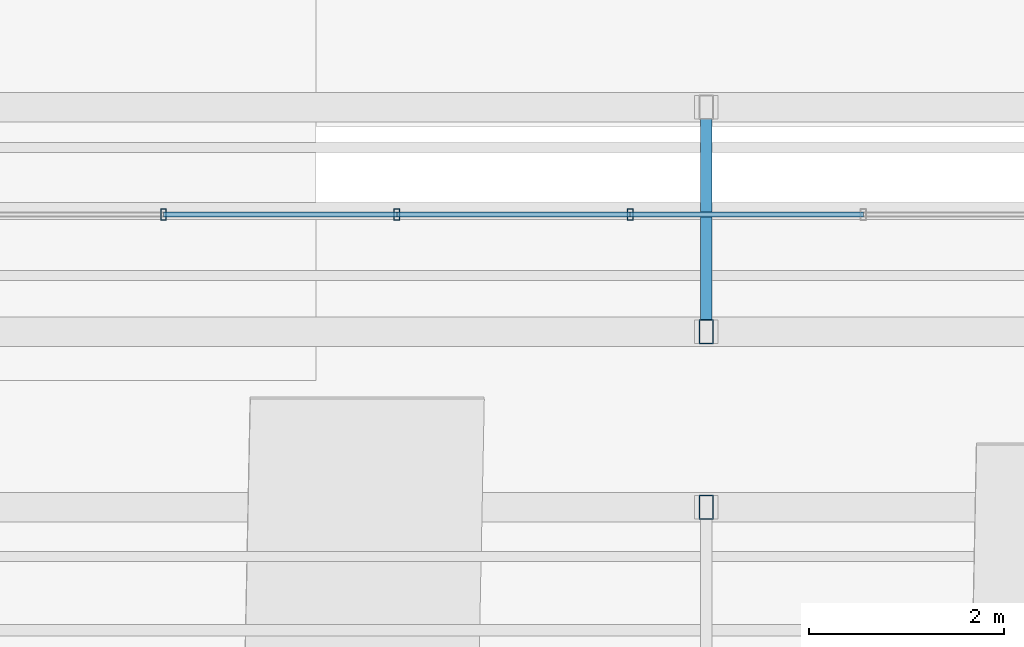
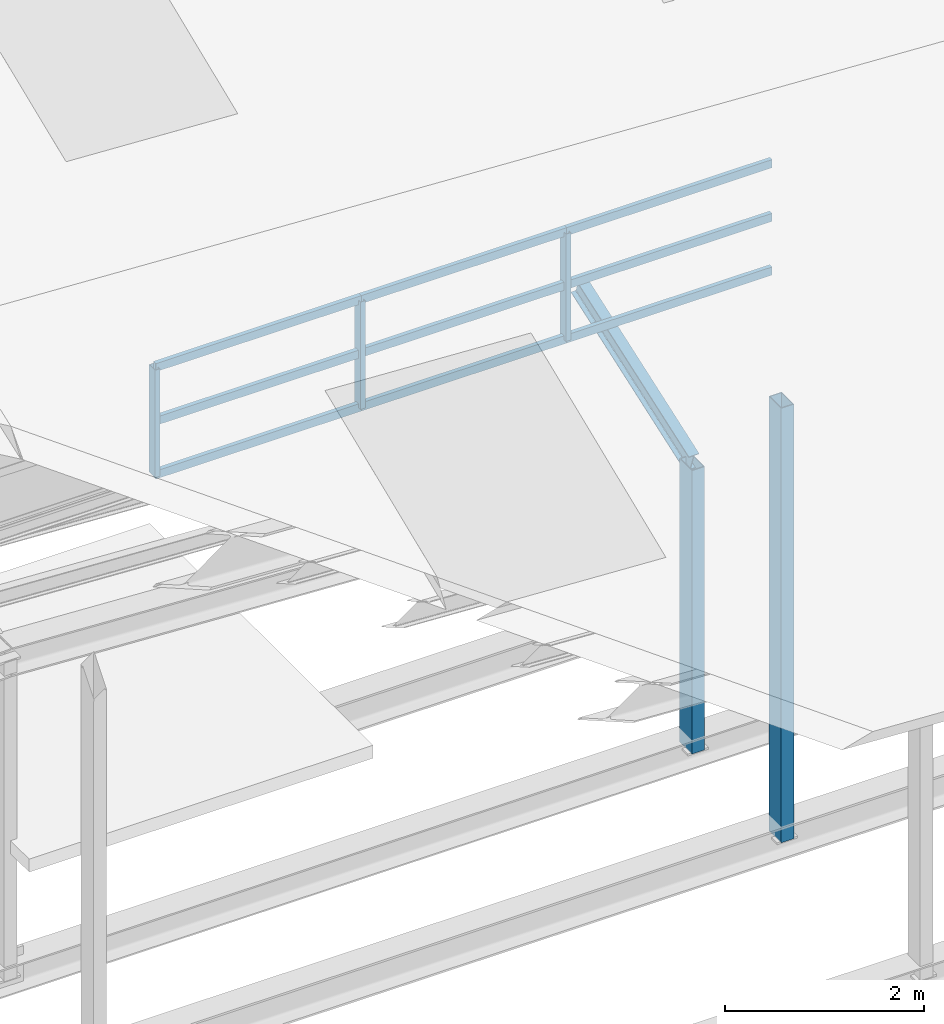
# One storey, part 112 of 141: 15 members, 1 element without a shape of its own.
"""IFC4 building model written with IfcOpenShell, lengths in metres."""

from ifc_helpers import new_model, si_unit, direction, frame, origin, origin_2d, place, context, subcontext, project, spatial, hollow_rectangle, i_section, extrude, material, material_profile, profile_set, type_object, element, aggregate, save


model = new_model("IFC4")

# Units and contexts
model_context = context("Model", 3, precision=1e-05, world=origin(), true_north=direction((0.0, 1.0)))
body_context = subcontext(model_context, "Body", "Model", "MODEL_VIEW")
ifc_project = project(units=[si_unit("LENGTHUNIT", "METRE"), si_unit("AREAUNIT", "SQUARE_METRE"), si_unit("VOLUMEUNIT", "CUBIC_METRE"), si_unit("PLANEANGLEUNIT", "RADIAN"), si_unit("MASSUNIT", "GRAM", prefix="KILO")], contexts=[model_context])

# Site, building, storey
site_placement = place(None, origin())
site = spatial("IfcSite", under=ifc_project, at=site_placement, CompositionType="ELEMENT")
building_placement = place(site_placement, origin())
building = spatial("IfcBuilding", under=site, at=building_placement, Name="Sundkrona Museum", CompositionType="ELEMENT")
storey_placement = place(building_placement, frame((0.0, 0.0, 34.0)))
storey = spatial("IfcBuildingStorey", under=building, at=storey_placement, Name="RF", CompositionType="ELEMENT", Elevation=34.0)

# Curtain wall, members
ifc_material_1 = material(Name="Unitised Aluminium-Steel and Ceramic-Clad Curtain Walling", Category="steel")
curtain_wall_type = type_object("IfcCurtainWallType", Name="CW-SW-240x13", PredefinedType="NOTDEFINED", material=ifc_material_1)
curtain_wall_placement = place(storey_placement, origin())
curtain_wall = element("IfcCurtainWall", 1, at=curtain_wall_placement, inside=storey, type_object=curtain_wall_type, Name="Sawtooth Bay 6 East North-Light Clerestory", PredefinedType="NOTDEFINED")
ifc_material_2 = material(Name="Aluminium EN AW-6060 T66", Category="aluminium")
ifc_material_profile_1 = material_profile(ifc_material_2, hollow_rectangle(XDim=0.06005859375, YDim=0.1201171875, WallThickness=0.0048828125, at=origin_2d()), Name="RHS 120x60x5.0")
ifc_profile_set_1 = profile_set([ifc_material_profile_1], Name="Aluminium EN AW-6060 T66")
member_type_1 = type_object("IfcMemberType", Name="ML-120", PredefinedType="MULLION", material=ifc_profile_set_1)
member_1_placement = place(storey_placement, frame((146.43994140625, 42.699951171875, 4.31298828125), z_axis=(0.0, 0.0, 1.0), x_axis=(1.0, 0.0, 0.0)))
member_1 = element("IfcMember", 2, at=member_1_placement, type_object=member_type_1, Name="CW-RF-SAW-06E Mullion 02", PredefinedType="MULLION", context=body_context, shape_type="SweptSolid", body=[
    extrude(hollow_rectangle(XDim=0.06005859375, YDim=0.1201171875, WallThickness=0.0048828125, at=origin_2d()), origin(), (0.0, 0.0, 1.0), 1.320068359375),
])
member_2_placement = place(storey_placement, frame((148.830078125, 42.699951171875, 4.31298828125), z_axis=(0.0, 0.0, 1.0), x_axis=(1.0, 0.0, 0.0)))
member_2 = element("IfcMember", 3, at=member_2_placement, type_object=member_type_1, Name="CW-RF-SAW-06E Mullion 03", PredefinedType="MULLION", context=body_context, shape_type="SweptSolid", body=[
    extrude(hollow_rectangle(XDim=0.06005859375, YDim=0.1201171875, WallThickness=0.0048828125, at=origin_2d()), origin(), (0.0, 0.0, 1.0), 1.320068359375),
])
member_3_placement = place(storey_placement, frame((151.219970703125, 42.699951171875, 4.31298828125), z_axis=(0.0, 0.0, 1.0), x_axis=(1.0, 0.0, 0.0)))
member_3 = element("IfcMember", 4, at=member_3_placement, type_object=member_type_1, Name="CW-RF-SAW-06E Mullion 04", PredefinedType="MULLION", context=body_context, shape_type="SweptSolid", body=[
    extrude(hollow_rectangle(XDim=0.06005859375, YDim=0.1201171875, WallThickness=0.0048828125, at=origin_2d()), origin(), (0.0, 0.0, 1.0), 1.320068359375),
])

# Members
ifc_material_3 = material(Name="Steel S355J2", Category="steel")
ifc_material_profile_2 = material_profile(ifc_material_3, i_section(OverallWidth=0.1201171875, OverallDepth=0.239990234375, WebThickness=0.006103515625, FlangeThickness=0.009765625, FilletRadius=0.014892578125, at=origin_2d()), Name="IPE 240")
ifc_profile_set_2 = profile_set([ifc_material_profile_2], Name="Steel S355J2")
member_type_2 = type_object("IfcMemberType", Name="PR-IPE240", PredefinedType="PURLIN", material=ifc_profile_set_2)
member_4_placement = place(storey_placement, frame((152.0, 41.5, 3.234375), z_axis=(0.0, 0.943681756656, 0.330854563447), x_axis=(-1.0, 0.0, 0.0)))
element("IfcMember", 5, at=member_4_placement, inside=storey, type_object=member_type_2, Name="RFS-1 Sawtooth Bay 7 Transverse Rafter 5", PredefinedType="PURLIN", context=body_context, shape_type="SweptSolid", body=[
    extrude(i_section(OverallWidth=0.1201171875, OverallDepth=0.239990234375, WebThickness=0.006103515625, FlangeThickness=0.009765625, FilletRadius=0.014892578125, at=origin_2d()), origin(), (0.0, 0.0, 1.0), 2.437255859375),
])
ifc_material_profile_3 = material_profile(ifc_material_3, hollow_rectangle(XDim=0.14990234375, YDim=0.25, WallThickness=0.010009765625, at=origin_2d()), Name="RHS 250x150x10.0")
ifc_profile_set_3 = profile_set([ifc_material_profile_3], Name="Steel S355J2")
member_type_3 = type_object("IfcMemberType", Name="ST-RHS250", PredefinedType="STRUT", material=ifc_profile_set_3)
member_5_placement = place(storey_placement, frame((152.0, 39.699951171875, -0.25), z_axis=(0.0, 0.0, 1.0), x_axis=(1.0, 0.0, 0.0)))
element("IfcMember", 6, at=member_5_placement, inside=storey, type_object=member_type_3, Name="RFS-1 Sawtooth Truss 6 Vertical Post 5", PredefinedType="STRUT", context=body_context, shape_type="SweptSolid", body=[
    extrude(hollow_rectangle(XDim=0.14990234375, YDim=0.25, WallThickness=0.010009765625, at=origin_2d()), origin(), (0.0, 0.0, 1.0), 5.343017578125),
])
member_6_placement = place(storey_placement, frame((152.0, 41.5, -0.25), z_axis=(0.0, 0.0, 1.0), x_axis=(1.0, 0.0, 0.0)))
element("IfcMember", 7, at=member_6_placement, inside=storey, type_object=member_type_3, Name="RFS-1 Sawtooth Bay 7 Valley Post 5", PredefinedType="STRUT", context=body_context, shape_type="SweptSolid", body=[
    extrude(hollow_rectangle(XDim=0.14990234375, YDim=0.25, WallThickness=0.010009765625, at=origin_2d()), origin(), (0.0, 0.0, 1.0), 3.484375),
])

# Member
ifc_material_profile_4 = material_profile(ifc_material_2, hollow_rectangle(XDim=0.050048828125, YDim=0.10009765625, WallThickness=0.0048828125, at=origin_2d()), Name="RHS 100x50x5.0")
ifc_profile_set_4 = profile_set([ifc_material_profile_4], Name="Aluminium EN AW-6060 T66")
member_type_4 = type_object("IfcMemberType", Name="TR-100", PredefinedType="USERDEFINED", material=ifc_profile_set_4)
member_7_placement = place(storey_placement, frame((146.43994140625, 42.699951171875, 4.31298828125), z_axis=(1.0, 0.0, 0.0), x_axis=(0.0, 1.0, 0.0)))
member_7 = element("IfcMember", 8, at=member_7_placement, type_object=member_type_4, Name="CW-RF-SAW-06E Transom 04", ObjectType="TRANSOM", PredefinedType="USERDEFINED", context=body_context, shape_type="SweptSolid", body=[
    extrude(hollow_rectangle(XDim=0.050048828125, YDim=0.10009765625, WallThickness=0.0048828125, at=origin_2d()), origin(), (0.0, 0.0, 1.0), 2.39013671875),
])

member_8_placement = place(storey_placement, frame((146.43994140625, 42.699951171875, 4.972900390625), z_axis=(1.0, 0.0, 0.0), x_axis=(0.0, 1.0, 0.0)))
member_8 = element("IfcMember", 9, at=member_8_placement, type_object=member_type_4, Name="CW-RF-SAW-06E Transom 05", ObjectType="TRANSOM", PredefinedType="USERDEFINED", context=body_context, shape_type="SweptSolid", body=[
    extrude(hollow_rectangle(XDim=0.050048828125, YDim=0.10009765625, WallThickness=0.0048828125, at=origin_2d()), origin(), (0.0, 0.0, 1.0), 2.39013671875),
])

member_9_placement = place(storey_placement, frame((146.43994140625, 42.699951171875, 5.633056640625), z_axis=(1.0, 0.0, 0.0), x_axis=(0.0, 1.0, 0.0)))
member_9 = element("IfcMember", 10, at=member_9_placement, type_object=member_type_4, Name="CW-RF-SAW-06E Transom 06", ObjectType="TRANSOM", PredefinedType="USERDEFINED", context=body_context, shape_type="SweptSolid", body=[
    extrude(hollow_rectangle(XDim=0.050048828125, YDim=0.10009765625, WallThickness=0.0048828125, at=origin_2d()), origin(), (0.0, 0.0, 1.0), 2.39013671875),
])

member_10_placement = place(storey_placement, frame((148.830078125, 42.699951171875, 4.31298828125), z_axis=(1.0, 0.0, 0.0), x_axis=(0.0, 1.0, 0.0)))
member_10 = element("IfcMember", 11, at=member_10_placement, type_object=member_type_4, Name="CW-RF-SAW-06E Transom 07", ObjectType="TRANSOM", PredefinedType="USERDEFINED", context=body_context, shape_type="SweptSolid", body=[
    extrude(hollow_rectangle(XDim=0.050048828125, YDim=0.10009765625, WallThickness=0.0048828125, at=origin_2d()), origin(), (0.0, 0.0, 1.0), 2.389892578125),
])

member_11_placement = place(storey_placement, frame((148.830078125, 42.699951171875, 4.972900390625), z_axis=(1.0, 0.0, 0.0), x_axis=(0.0, 1.0, 0.0)))
member_11 = element("IfcMember", 12, at=member_11_placement, type_object=member_type_4, Name="CW-RF-SAW-06E Transom 08", ObjectType="TRANSOM", PredefinedType="USERDEFINED", context=body_context, shape_type="SweptSolid", body=[
    extrude(hollow_rectangle(XDim=0.050048828125, YDim=0.10009765625, WallThickness=0.0048828125, at=origin_2d()), origin(), (0.0, 0.0, 1.0), 2.389892578125),
])

member_12_placement = place(storey_placement, frame((148.830078125, 42.699951171875, 5.633056640625), z_axis=(1.0, 0.0, 0.0), x_axis=(0.0, 1.0, 0.0)))
member_12 = element("IfcMember", 13, at=member_12_placement, type_object=member_type_4, Name="CW-RF-SAW-06E Transom 09", ObjectType="TRANSOM", PredefinedType="USERDEFINED", context=body_context, shape_type="SweptSolid", body=[
    extrude(hollow_rectangle(XDim=0.050048828125, YDim=0.10009765625, WallThickness=0.0048828125, at=origin_2d()), origin(), (0.0, 0.0, 1.0), 2.389892578125),
])

member_13_placement = place(storey_placement, frame((151.219970703125, 42.699951171875, 4.31298828125), z_axis=(1.0, 0.0, 0.0), x_axis=(0.0, 1.0, 0.0)))
member_13 = element("IfcMember", 14, at=member_13_placement, type_object=member_type_4, Name="CW-RF-SAW-06E Transom 10", ObjectType="TRANSOM", PredefinedType="USERDEFINED", context=body_context, shape_type="SweptSolid", body=[
    extrude(hollow_rectangle(XDim=0.050048828125, YDim=0.10009765625, WallThickness=0.0048828125, at=origin_2d()), origin(), (0.0, 0.0, 1.0), 2.39013671875),
])

member_14_placement = place(storey_placement, frame((151.219970703125, 42.699951171875, 4.972900390625), z_axis=(1.0, 0.0, 0.0), x_axis=(0.0, 1.0, 0.0)))
member_14 = element("IfcMember", 15, at=member_14_placement, type_object=member_type_4, Name="CW-RF-SAW-06E Transom 11", ObjectType="TRANSOM", PredefinedType="USERDEFINED", context=body_context, shape_type="SweptSolid", body=[
    extrude(hollow_rectangle(XDim=0.050048828125, YDim=0.10009765625, WallThickness=0.0048828125, at=origin_2d()), origin(), (0.0, 0.0, 1.0), 2.39013671875),
])

member_15_placement = place(storey_placement, frame((151.219970703125, 42.699951171875, 5.633056640625), z_axis=(1.0, 0.0, 0.0), x_axis=(0.0, 1.0, 0.0)))
member_15 = element("IfcMember", 16, at=member_15_placement, type_object=member_type_4, Name="CW-RF-SAW-06E Transom 12", ObjectType="TRANSOM", PredefinedType="USERDEFINED", context=body_context, shape_type="SweptSolid", body=[
    extrude(hollow_rectangle(XDim=0.050048828125, YDim=0.10009765625, WallThickness=0.0048828125, at=origin_2d()), origin(), (0.0, 0.0, 1.0), 2.39013671875),
])

aggregate(curtain_wall, [member_1, member_2, member_3, member_7, member_8, member_9, member_10, member_11, member_12, member_13, member_14, member_15])

save(model, "model.ifc")
